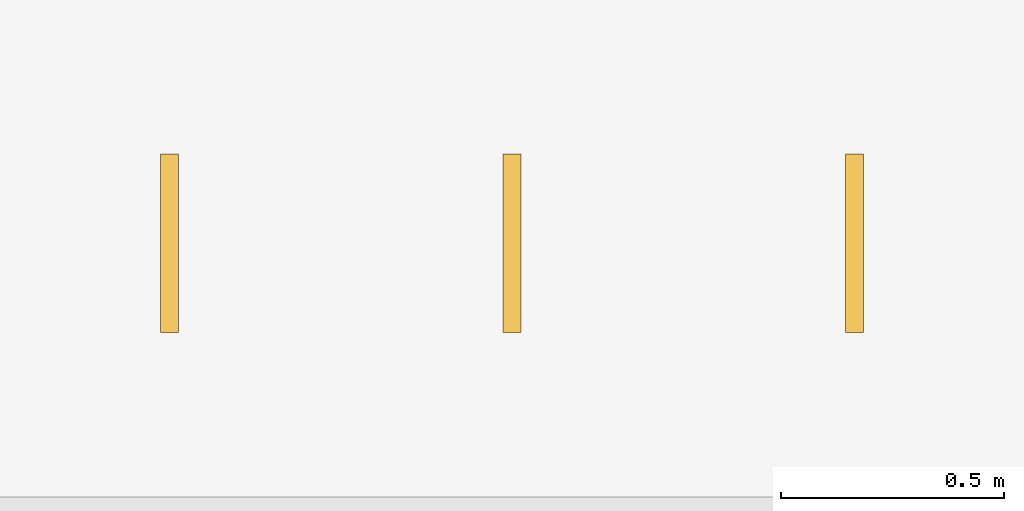
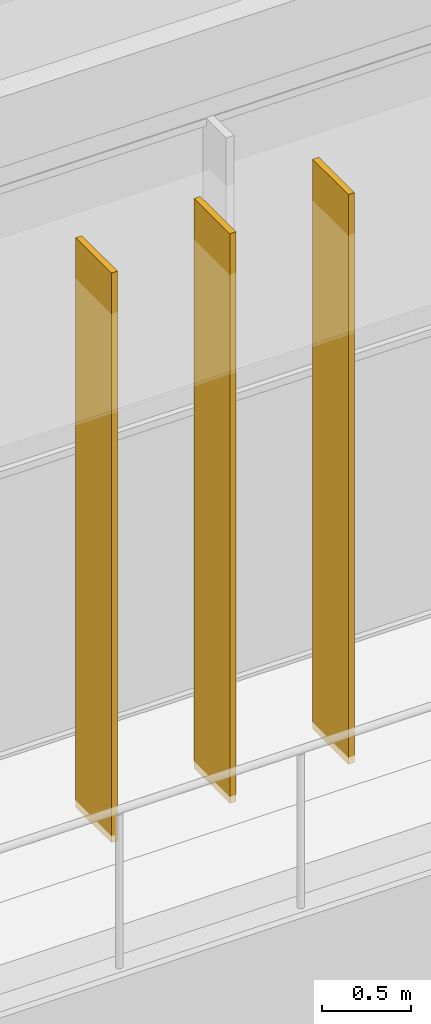
# One storey, part 80 of 89: 3 shading devices.
"""IFC4 building model written with IfcOpenShell, lengths in metres."""

from ifc_helpers import new_model, si_unit, direction, frame, origin, origin_2d, place, context, subcontext, project, spatial, rectangle, extrude, material, layer, layer_set, type_object, element, save


model = new_model("IFC4")

# Units and contexts
model_context = context("Model", 3, precision=1e-05, world=origin(), true_north=direction((0.0, 1.0)))
body_context = subcontext(model_context, "Body", "Model", "MODEL_VIEW")
ifc_project = project(units=[si_unit("LENGTHUNIT", "METRE"), si_unit("AREAUNIT", "SQUARE_METRE"), si_unit("VOLUMEUNIT", "CUBIC_METRE"), si_unit("PLANEANGLEUNIT", "RADIAN"), si_unit("MASSUNIT", "GRAM", prefix="KILO")], contexts=[model_context])

# Site, building, storey
site_placement = place(None, origin())
site = spatial("IfcSite", under=ifc_project, at=site_placement, CompositionType="ELEMENT")
building_placement = place(site_placement, origin())
building = spatial("IfcBuilding", under=site, at=building_placement, Name="Lantern Court Media Centre", CompositionType="ELEMENT")
storey_placement = place(building_placement, frame((0.0, 0.0, 14.39990234375)))
storey = spatial("IfcBuildingStorey", under=building, at=storey_placement, Name="L03", CompositionType="ELEMENT", Elevation=14.39990234375)

# Shading devices
ifc_material = material(Name="Bronze anodised aluminium louvre", Category="aluminium")
ifc_layer = layer(ifc_material, 0.0400390625)
ifc_layer_set = layer_set([ifc_layer], Name="Bronze anodised aluminium louvre")
shading_device_type = type_object("IfcShadingDeviceType", Name="Vertical louvre 40x400 under beam", PredefinedType="USERDEFINED", material=ifc_layer_set)
for number, where, z_axis, x_axis, name in (
    (1, (52.0, 100.320068359375, 0.000244140625), (0.0, 0.0, 1.0), (1.0, 0.0, 0.0), "Vertical louvre N inner L03"),
    (2, (52.7666015625, 100.320068359375, 0.000244140625), (0.0, 0.0, 1.0), (1.0, 0.0, 0.0), "Vertical louvre N inner L03"),
    (3, (53.533447265625, 100.320068359375, 0.000244140625), (0.0, 0.0, 1.0), (1.0, 0.0, 0.0), "Vertical louvre N inner L03"),
):
    element("IfcShadingDevice", number, at=place(storey_placement, frame(where, z_axis=z_axis, x_axis=x_axis)), inside=storey, type_object=shading_device_type, Name=name, ObjectType="VERTICAL LOUVRE", PredefinedType="USERDEFINED", context=body_context, shape_type="SweptSolid", body=[
        extrude(rectangle(XDim=0.0400390625, YDim=0.39990234375, at=origin_2d()), origin(), (0.0, 0.0, 1.0), 3.89990234375),
    ])

save(model, "model.ifc")
